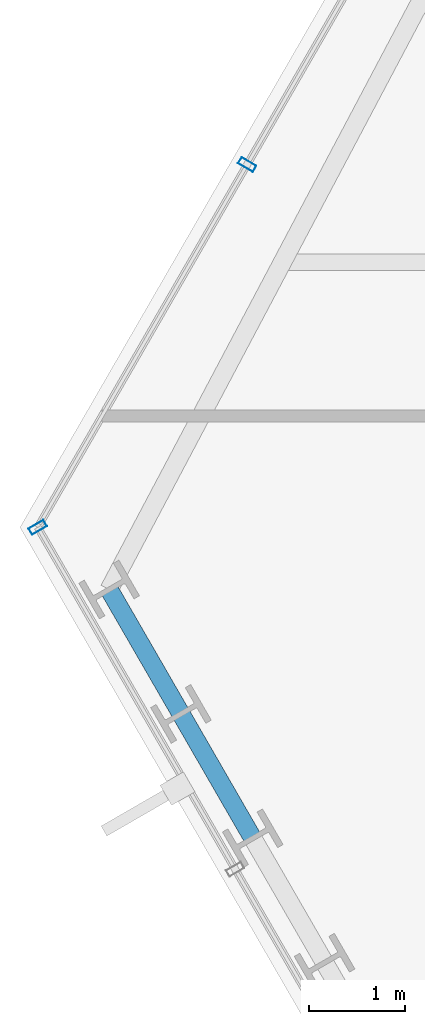
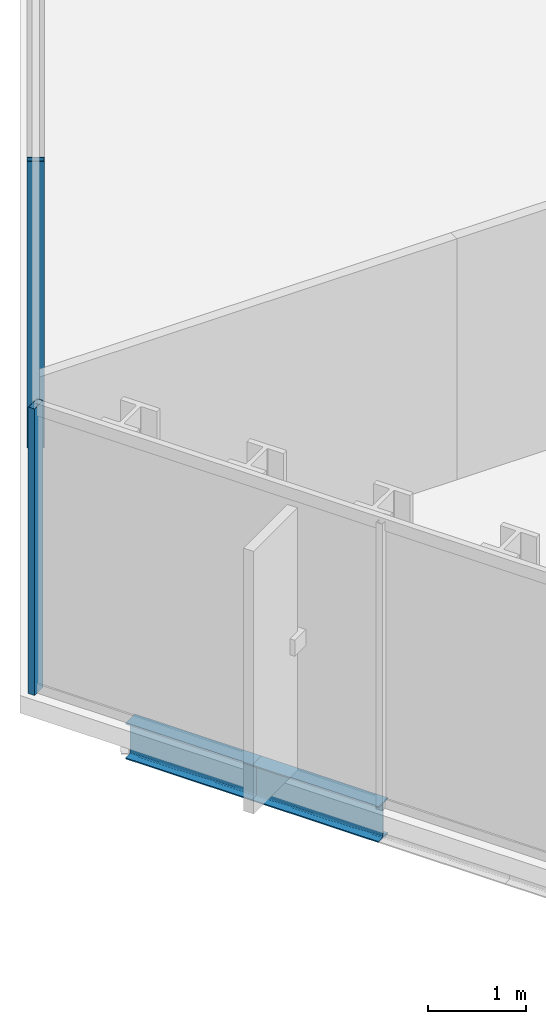
# One storey, part 5 of 32: 2 beams, 2 members, 2 elements without a shape of their own.
"""IFC4 building model written with IfcOpenShell, lengths in metres."""

import ifcopenshell
import ifcopenshell.guid

model = None  # the IFC model being written
_history = None  # IfcOwnerHistory: only IFC2X3 demands one
_inside = {}  # id of a spatial element -> (the spatial element, [elements in it])
_under = {}  # id of a project, library or spatial element -> (it, [spatial elements below it])
_declared = {}  # id of a project -> (the project, [libraries it declares])
_typed = {}  # id of a type object -> (the type object, [elements of that type])
_made_of = {}  # id of a material, layer set ... -> (it, [elements and type objects made of it])


def new_model(schema):
    """Start an empty IFC model of exactly this schema.

    Asked for "IFC4X3", IfcOpenShell would pick the latest addendum, in which some entities
    have other attributes; the version numbers below select the first issue.
    IFC2X3 requires an IfcOwnerHistory on every rooted entity: one is made here for all.
    """
    global model, _history
    if schema == "IFC4X3":
        model = ifcopenshell.file(schema_version=(4, 3, 0, 0))
    else:
        model = ifcopenshell.file(schema=schema)
    _inside.clear()
    _under.clear()
    _declared.clear()
    _typed.clear()
    _made_of.clear()
    _history = None
    if model.schema == "IFC2X3":
        org = make("IfcOrganization", Name="unknown")
        user = make(
            "IfcPersonAndOrganization",
            ThePerson=make("IfcPerson", FamilyName="unknown"),
            TheOrganization=org,
        )
        app = make(
            "IfcApplication",
            ApplicationDeveloper=org,
            Version="unknown",
            ApplicationFullName="unknown",
            ApplicationIdentifier="unknown",
        )
        _history = make(
            "IfcOwnerHistory",
            OwningUser=user,
            OwningApplication=app,
            ChangeAction="ADDED",
            CreationDate=0,
        )
    return model


def make(cls, **values):
    """One entity of the class cls with the attributes given. An attribute that is None is left unset."""
    return model.create_entity(
        cls, **{name: value for name, value in values.items() if value is not None}
    )


def rooted(cls, **values):
    """An entity with a GlobalId (a new one), such as an element, a storey or a relation."""
    return make(cls, GlobalId=ifcopenshell.guid.new(), OwnerHistory=_history, **values)


def si_unit(unit_type, name, prefix=None):
    """IfcSIUnit, for example si_unit("LENGTHUNIT", "METRE", prefix="MILLI")."""
    return make("IfcSIUnit", UnitType=unit_type, Prefix=prefix, Name=name)


def assignment(units):
    """IfcUnitAssignment: the units of a project."""
    return None if units is None else make("IfcUnitAssignment", Units=units)


def point(xyz):
    """IfcCartesianPoint."""
    return None if xyz is None else make("IfcCartesianPoint", Coordinates=xyz)


def direction(xyz):
    """IfcDirection."""
    return None if xyz is None else make("IfcDirection", DirectionRatios=xyz)


def frame(location, z_axis=None, x_axis=None):
    """IfcAxis2Placement3D, a coordinate frame: its origin and axes. An axis left out is left unset."""
    return make(
        "IfcAxis2Placement3D",
        Location=point(location),
        Axis=direction(z_axis),
        RefDirection=direction(x_axis),
    )


def frame_2d(location, x_axis=None):
    """IfcAxis2Placement2D, a coordinate frame in the plane: its origin and x axis."""
    return make(
        "IfcAxis2Placement2D", Location=point(location), RefDirection=direction(x_axis)
    )


def origin():
    """The frame at (0, 0, 0) with its axes left unset."""
    return frame((0.0, 0.0, 0.0))


def origin_2d():
    """The frame at (0, 0) in the plane with its x axis left unset."""
    return frame_2d((0.0, 0.0))


def place(relative_to, where):
    """IfcLocalPlacement: puts the frame where relative to a parent placement (None: the world)."""
    return make(
        "IfcLocalPlacement", PlacementRelTo=relative_to, RelativePlacement=where
    )


def context(
    kind, dimensions, precision=None, world=None, true_north=None, identifier=None
):
    """IfcGeometricRepresentationContext, for example the 3D "Model" context."""
    return make(
        "IfcGeometricRepresentationContext",
        ContextIdentifier=identifier,
        ContextType=kind,
        CoordinateSpaceDimension=dimensions,
        Precision=precision,
        WorldCoordinateSystem=world,
        TrueNorth=true_north,
    )


def subcontext(parent, identifier, kind, view, scale=None):
    """IfcGeometricRepresentationSubContext, for example "Body" below "Model"."""
    return make(
        "IfcGeometricRepresentationSubContext",
        ContextIdentifier=identifier,
        ContextType=kind,
        ParentContext=parent,
        TargetScale=scale,
        TargetView=view,
    )


def project(units=None, contexts=None):
    """IfcProject with its units and contexts."""
    return rooted(
        "IfcProject",
        Name="project",
        RepresentationContexts=contexts,
        UnitsInContext=assignment(units),
    )


def spatial(cls, under=None, at=None, **own):
    """A site, building, storey or space (cls), placed at a placement, below another one or the project."""
    s = rooted(cls, ObjectPlacement=at, **own)
    if under is not None:
        _under.setdefault(under.id(), (under, []))[1].append(s)
    return s


def profile(cls, at=None, kind="AREA", **sizes):
    """A parametric profile (cls). Its sizes go by their IFC names, for example OverallWidth=200.0."""
    return make(cls, ProfileType=kind, Position=at, **sizes)


def hollow_rectangle(**sizes):
    """IfcRectangleHollowProfileDef."""
    return profile("IfcRectangleHollowProfileDef", **sizes)


def i_section(**sizes):
    """IfcIShapeProfileDef."""
    return profile("IfcIShapeProfileDef", **sizes)


def extrude(swept, where, along, depth):
    """IfcExtrudedAreaSolid: the profile swept, set in the frame where, extruded along a direction by depth."""
    return make(
        "IfcExtrudedAreaSolid",
        SweptArea=swept,
        Position=where,
        ExtrudedDirection=direction(along),
        Depth=depth,
    )


def shape(context_of_items, identifier, shape_type, items):
    """IfcShapeRepresentation: the items that make up one representation, for example the "Body"."""
    return make(
        "IfcShapeRepresentation",
        ContextOfItems=context_of_items,
        RepresentationIdentifier=identifier,
        RepresentationType=shape_type,
        Items=items,
    )


def material(Name=None, Category=None):
    """IfcMaterial."""
    return make("IfcMaterial", Name=Name, Category=Category)


def layer(
    of_material, thickness, ventilated=None, Name=None, Category=None, Priority=None
):
    """IfcMaterialLayer: one layer of a wall or slab, of a material (None: an air gap)."""
    return make(
        "IfcMaterialLayer",
        Material=of_material,
        LayerThickness=thickness,
        IsVentilated=ventilated,
        Name=Name,
        Category=Category,
        Priority=Priority,
    )


def layer_set(layers, Name=None):
    """IfcMaterialLayerSet."""
    return make("IfcMaterialLayerSet", MaterialLayers=layers, LayerSetName=Name)


def material_profile(
    of_material, cross_section, Name=None, Category=None, Priority=None
):
    """IfcMaterialProfile: a cross section and its material."""
    return make(
        "IfcMaterialProfile",
        Name=Name,
        Material=of_material,
        Profile=cross_section,
        Priority=Priority,
        Category=Category,
    )


def profile_set(profiles, Name=None, composite=None):
    """IfcMaterialProfileSet."""
    return make(
        "IfcMaterialProfileSet",
        Name=Name,
        MaterialProfiles=profiles,
        CompositeProfile=composite,
    )


def made_of(thing, what):
    """Note that an element or type object is made of a material, layer set ...; save() writes the relation."""
    if what is not None:
        _made_of.setdefault(what.id(), (what, []))[1].append(thing)
    return thing


def type_object(cls, material=None, **own):
    """A type object (cls), such as IfcWallType, which elements share."""
    return made_of(rooted(cls, **own), material)


def element(
    cls,
    number,
    at=None,
    inside=None,
    cuts=None,
    type_object=None,
    material=None,
    context=None,
    identifier="Body",
    shape_type=None,
    held_by="IfcProductDefinitionShape",
    body=None,
    shapes=None,
    **own,
):
    """One element of the class cls, such as IfcWall. Its Tag is "e" and its number.

    at: its placement. inside: the storey or other place that contains it. cuts: it is an
    opening in that element (IfcRelVoidsElement). A single representation is given by context,
    identifier, shape_type and body (its items); several are given by shapes. held_by: the class
    of the entity that holds the representations. save() writes the other relations.
    """
    e = rooted(cls, Tag="e%d" % number, ObjectPlacement=at, **own)
    if body is not None:
        shapes = [shape(context, identifier, shape_type, body)]
    if shapes is not None:
        e.Representation = make(held_by, Representations=shapes)
    if inside is not None:
        _inside.setdefault(inside.id(), (inside, []))[1].append(e)
    if cuts is not None:
        rooted(
            "IfcRelVoidsElement", RelatingBuildingElement=cuts, RelatedOpeningElement=e
        )
    if type_object is not None:
        _typed.setdefault(type_object.id(), (type_object, []))[1].append(e)
    return made_of(e, material)


def aggregate(whole, parts):
    """IfcRelAggregates: a whole, such as a stair, and the parts it consists of."""
    return rooted("IfcRelAggregates", RelatingObject=whole, RelatedObjects=parts)


def save(model, path):
    """Write the relations noted so far, then the file.

    IfcRelAggregates (storeys below a building ...), IfcRelContainedInSpatialStructure (elements
    in a storey), IfcRelDefinesByType, IfcRelAssociatesMaterial and IfcRelDeclares: one each for
    every whole, place, type object, material and project.
    """
    for whole, parts in _under.values():
        aggregate(whole, parts)
    for where, things in _inside.values():
        rooted(
            "IfcRelContainedInSpatialStructure",
            RelatedElements=things,
            RelatingStructure=where,
        )
    for kind, things in _typed.values():
        rooted("IfcRelDefinesByType", RelatedObjects=things, RelatingType=kind)
    for what, things in _made_of.values():
        rooted("IfcRelAssociatesMaterial", RelatedObjects=things, RelatingMaterial=what)
    for by, libraries in _declared.values():
        rooted("IfcRelDeclares", RelatingContext=by, RelatedDefinitions=libraries)
    model.write(path)


model = new_model("IFC4")

# Units and contexts
model_context = context("Model", 3, precision=1e-05, world=origin(), true_north=direction((0.0, 1.0)))
body_context = subcontext(model_context, "Body", "Model", "MODEL_VIEW")
ifc_project = project(units=[si_unit("LENGTHUNIT", "METRE"), si_unit("AREAUNIT", "SQUARE_METRE"), si_unit("VOLUMEUNIT", "CUBIC_METRE"), si_unit("PLANEANGLEUNIT", "RADIAN"), si_unit("MASSUNIT", "GRAM", prefix="KILO")], contexts=[model_context])

# Site, building, storey
site_placement = place(None, origin())
site = spatial("IfcSite", under=ifc_project, at=site_placement, CompositionType="ELEMENT")
building_placement = place(site_placement, origin())
building = spatial("IfcBuilding", under=site, at=building_placement, Name="Ndaravel Arena Tower", CompositionType="ELEMENT")
storey_placement = place(building_placement, frame((0.0, 0.0, 130.800048828125)))
storey = spatial("IfcBuildingStorey", under=building, at=storey_placement, Name="L30", CompositionType="ELEMENT", Elevation=130.800048828125)

# Beams
ifc_material_1 = material(Name="Steel S355", Category="steel")
ifc_material_profile_1 = material_profile(ifc_material_1, i_section(OverallWidth=0.18994140625, OverallDepth=0.449951171875, WebThickness=0.009521484375, FlangeThickness=0.0146484375, FilletRadius=0.02099609375, at=origin_2d()), Name="IPE 450")
ifc_profile_set_1 = profile_set([ifc_material_profile_1], Name="Steel S355")
beam_type = type_object("IfcBeamType", Name="BM-SPAN-IPE450", PredefinedType="SPANDREL", material=ifc_profile_set_1)
beam_1_placement = place(storey_placement, frame((19.132080078125, 15.193603515625, -0.445068359375), z_axis=(0.500019200167, -0.866014318279, 0.0), x_axis=(0.866014318279, 0.500019200167, 0.0)))
element("IfcBeam", 1, at=beam_1_placement, inside=storey, type_object=beam_type, Name="L30 Perimeter Spandrel Beam SP-20", PredefinedType="SPANDREL", context=body_context, shape_type="SweptSolid", body=[
    extrude(i_section(OverallWidth=0.18994140625, OverallDepth=0.449951171875, WebThickness=0.009521484375, FlangeThickness=0.0146484375, FilletRadius=0.02099609375, at=origin_2d()), origin(), (0.0, 0.0, 1.0), 1.49560546875),
])
beam_2_placement = place(storey_placement, frame((19.8798828125, 13.8984375, -0.445068359375), z_axis=(0.499896754619, -0.866085004328, 0.0), x_axis=(0.866085004328, 0.499896754619, 0.0)))
element("IfcBeam", 2, at=beam_2_placement, inside=storey, type_object=beam_type, Name="L30 Perimeter Spandrel Beam SP-21", PredefinedType="SPANDREL", context=body_context, shape_type="SweptSolid", body=[
    extrude(i_section(OverallWidth=0.18994140625, OverallDepth=0.449951171875, WebThickness=0.009521484375, FlangeThickness=0.0146484375, FilletRadius=0.02099609375, at=origin_2d()), origin(), (0.0, 0.0, 1.0), 1.495361328125),
])

# Curtain wall, member
ifc_material_2 = material(Name="Aluminium", Category="aluminium")
ifc_layer_1 = layer(ifc_material_2, 0.179931640625)
ifc_layer_set_1 = layer_set([ifc_layer_1], Name="Aluminium")
curtain_wall_type_1 = type_object("IfcCurtainWallType", Name="CW-SYS-03", PredefinedType="NOTDEFINED", material=ifc_layer_set_1)
curtain_wall_1_placement = place(storey_placement, origin())
curtain_wall_1 = element("IfcCurtainWall", 3, at=curtain_wall_1_placement, inside=storey, type_object=curtain_wall_type_1, Name="L30 Faceted Crystal Curtain Wall CW-L30-E05", PredefinedType="NOTDEFINED")
ifc_material_3 = material(Name="Aluminium", Category="aluminium")
ifc_material_profile_2 = material_profile(ifc_material_3, hollow_rectangle(XDim=0.074951171875, YDim=0.179931640625, WallThickness=0.00390625, at=origin_2d()), Name="CW MULLION 75x180x4")
ifc_profile_set_2 = profile_set([ifc_material_profile_2], Name="Aluminium")
member_type = type_object("IfcMemberType", Name="MEM-CW-MUL180", PredefinedType="MULLION", material=ifc_profile_set_2)
member_1_placement = place(storey_placement, frame((20.5693359375, 19.617919921875, 0.0), z_axis=(0.0, 0.0, 1.0), x_axis=(-0.5, -0.866025403784, 0.0)))
member_1 = element("IfcMember", 4, at=member_1_placement, type_object=member_type, Name="CW-L30-E05 Mullion 07", PredefinedType="MULLION", context=body_context, shape_type="SweptSolid", body=[
    extrude(hollow_rectangle(XDim=0.074951171875, YDim=0.179931640625, WallThickness=0.00390625, at=origin_2d()), origin(), (0.0, 0.0, 1.0), 3.579833984375),
])
aggregate(curtain_wall_1, [member_1])

ifc_material_4 = material(Name="Aluminium", Category="aluminium")
ifc_layer_2 = layer(ifc_material_4, 0.179931640625)
ifc_layer_set_2 = layer_set([ifc_layer_2], Name="Aluminium")
curtain_wall_type_2 = type_object("IfcCurtainWallType", Name="CW-SYS-02", PredefinedType="NOTDEFINED", material=ifc_layer_set_2)
curtain_wall_2_placement = place(storey_placement, origin())
curtain_wall_2 = element("IfcCurtainWall", 5, at=curtain_wall_2_placement, inside=storey, type_object=curtain_wall_type_2, Name="L30 Faceted Crystal Curtain Wall CW-L30-E06", PredefinedType="NOTDEFINED")
member_2_placement = place(storey_placement, frame((18.388671875, 15.841064453125, 0.0), z_axis=(0.0, 0.0, 1.0), x_axis=(0.5, -0.866025403784, 0.0)))
member_2 = element("IfcMember", 6, at=member_2_placement, type_object=member_type, Name="CW-L30-E06 Mullion 00", PredefinedType="MULLION", context=body_context, shape_type="SweptSolid", body=[
    extrude(hollow_rectangle(XDim=0.074951171875, YDim=0.179931640625, WallThickness=0.00390625, at=origin_2d()), origin(), (0.0, 0.0, 1.0), 3.579833984375),
])
aggregate(curtain_wall_2, [member_2])

save(model, "model.ifc")
